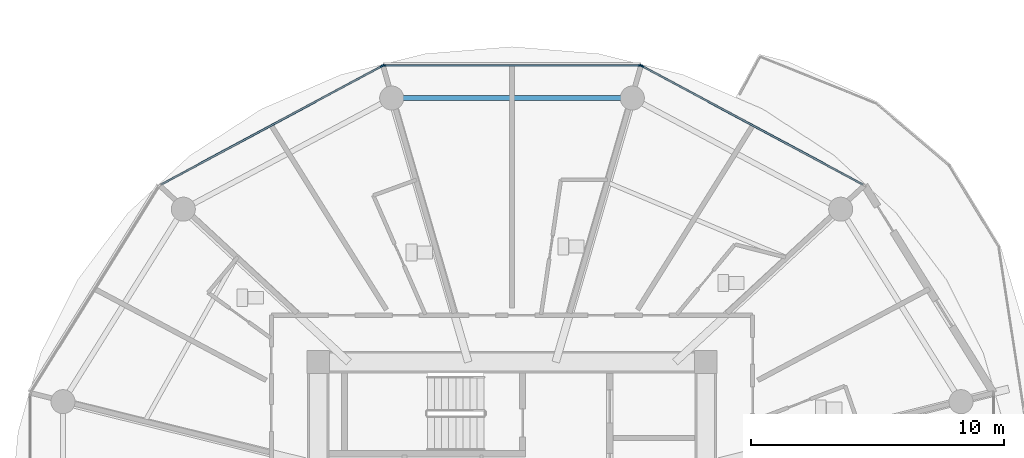
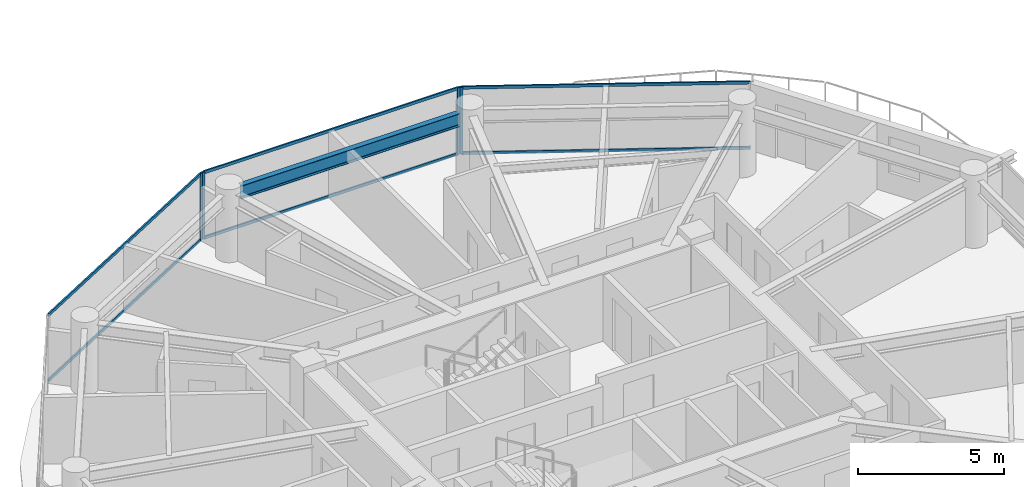
# One storey, part 9 of 26: 10 members, 1 beam, 3 elements without a shape of their own.
"""IFC4 building model written with IfcOpenShell, lengths in metres."""

import ifcopenshell
import ifcopenshell.guid

model = None  # the IFC model being written
_history = None  # IfcOwnerHistory: only IFC2X3 demands one
_inside = {}  # id of a spatial element -> (the spatial element, [elements in it])
_under = {}  # id of a project, library or spatial element -> (it, [spatial elements below it])
_declared = {}  # id of a project -> (the project, [libraries it declares])
_typed = {}  # id of a type object -> (the type object, [elements of that type])
_made_of = {}  # id of a material, layer set ... -> (it, [elements and type objects made of it])


def new_model(schema):
    """Start an empty IFC model of exactly this schema.

    Asked for "IFC4X3", IfcOpenShell would pick the latest addendum, in which some entities
    have other attributes; the version numbers below select the first issue.
    IFC2X3 requires an IfcOwnerHistory on every rooted entity: one is made here for all.
    """
    global model, _history
    if schema == "IFC4X3":
        model = ifcopenshell.file(schema_version=(4, 3, 0, 0))
    else:
        model = ifcopenshell.file(schema=schema)
    _inside.clear()
    _under.clear()
    _declared.clear()
    _typed.clear()
    _made_of.clear()
    _history = None
    if model.schema == "IFC2X3":
        org = make("IfcOrganization", Name="unknown")
        user = make(
            "IfcPersonAndOrganization",
            ThePerson=make("IfcPerson", FamilyName="unknown"),
            TheOrganization=org,
        )
        app = make(
            "IfcApplication",
            ApplicationDeveloper=org,
            Version="unknown",
            ApplicationFullName="unknown",
            ApplicationIdentifier="unknown",
        )
        _history = make(
            "IfcOwnerHistory",
            OwningUser=user,
            OwningApplication=app,
            ChangeAction="ADDED",
            CreationDate=0,
        )
    return model


def make(cls, **values):
    """One entity of the class cls with the attributes given. An attribute that is None is left unset."""
    return model.create_entity(
        cls, **{name: value for name, value in values.items() if value is not None}
    )


def rooted(cls, **values):
    """An entity with a GlobalId (a new one), such as an element, a storey or a relation."""
    return make(cls, GlobalId=ifcopenshell.guid.new(), OwnerHistory=_history, **values)


def si_unit(unit_type, name, prefix=None):
    """IfcSIUnit, for example si_unit("LENGTHUNIT", "METRE", prefix="MILLI")."""
    return make("IfcSIUnit", UnitType=unit_type, Prefix=prefix, Name=name)


def assignment(units):
    """IfcUnitAssignment: the units of a project."""
    return None if units is None else make("IfcUnitAssignment", Units=units)


def point(xyz):
    """IfcCartesianPoint."""
    return None if xyz is None else make("IfcCartesianPoint", Coordinates=xyz)


def direction(xyz):
    """IfcDirection."""
    return None if xyz is None else make("IfcDirection", DirectionRatios=xyz)


def frame(location, z_axis=None, x_axis=None):
    """IfcAxis2Placement3D, a coordinate frame: its origin and axes. An axis left out is left unset."""
    return make(
        "IfcAxis2Placement3D",
        Location=point(location),
        Axis=direction(z_axis),
        RefDirection=direction(x_axis),
    )


def frame_2d(location, x_axis=None):
    """IfcAxis2Placement2D, a coordinate frame in the plane: its origin and x axis."""
    return make(
        "IfcAxis2Placement2D", Location=point(location), RefDirection=direction(x_axis)
    )


def origin():
    """The frame at (0, 0, 0) with its axes left unset."""
    return frame((0.0, 0.0, 0.0))


def origin_2d():
    """The frame at (0, 0) in the plane with its x axis left unset."""
    return frame_2d((0.0, 0.0))


def place(relative_to, where):
    """IfcLocalPlacement: puts the frame where relative to a parent placement (None: the world)."""
    return make(
        "IfcLocalPlacement", PlacementRelTo=relative_to, RelativePlacement=where
    )


def context(
    kind, dimensions, precision=None, world=None, true_north=None, identifier=None
):
    """IfcGeometricRepresentationContext, for example the 3D "Model" context."""
    return make(
        "IfcGeometricRepresentationContext",
        ContextIdentifier=identifier,
        ContextType=kind,
        CoordinateSpaceDimension=dimensions,
        Precision=precision,
        WorldCoordinateSystem=world,
        TrueNorth=true_north,
    )


def subcontext(parent, identifier, kind, view, scale=None):
    """IfcGeometricRepresentationSubContext, for example "Body" below "Model"."""
    return make(
        "IfcGeometricRepresentationSubContext",
        ContextIdentifier=identifier,
        ContextType=kind,
        ParentContext=parent,
        TargetScale=scale,
        TargetView=view,
    )


def project(units=None, contexts=None):
    """IfcProject with its units and contexts."""
    return rooted(
        "IfcProject",
        Name="project",
        RepresentationContexts=contexts,
        UnitsInContext=assignment(units),
    )


def spatial(cls, under=None, at=None, **own):
    """A site, building, storey or space (cls), placed at a placement, below another one or the project."""
    s = rooted(cls, ObjectPlacement=at, **own)
    if under is not None:
        _under.setdefault(under.id(), (under, []))[1].append(s)
    return s


def profile(cls, at=None, kind="AREA", **sizes):
    """A parametric profile (cls). Its sizes go by their IFC names, for example OverallWidth=200.0."""
    return make(cls, ProfileType=kind, Position=at, **sizes)


def rectangle(**sizes):
    """IfcRectangleProfileDef."""
    return profile("IfcRectangleProfileDef", **sizes)


def i_section(**sizes):
    """IfcIShapeProfileDef."""
    return profile("IfcIShapeProfileDef", **sizes)


def extrude(swept, where, along, depth):
    """IfcExtrudedAreaSolid: the profile swept, set in the frame where, extruded along a direction by depth."""
    return make(
        "IfcExtrudedAreaSolid",
        SweptArea=swept,
        Position=where,
        ExtrudedDirection=direction(along),
        Depth=depth,
    )


def shape(context_of_items, identifier, shape_type, items):
    """IfcShapeRepresentation: the items that make up one representation, for example the "Body"."""
    return make(
        "IfcShapeRepresentation",
        ContextOfItems=context_of_items,
        RepresentationIdentifier=identifier,
        RepresentationType=shape_type,
        Items=items,
    )


def source(mapping_origin, context_of_items, identifier, shape_type, items):
    """IfcRepresentationMap: a shape defined once, which mapped items show again and again."""
    return make(
        "IfcRepresentationMap",
        MappingOrigin=mapping_origin,
        MappedRepresentation=shape(context_of_items, identifier, shape_type, items),
    )


def transform(
    local_origin,
    x_axis=None,
    y_axis=None,
    z_axis=None,
    scale=None,
    scale2=None,
    scale3=None,
    uniform=True,
):
    """IfcCartesianTransformationOperator3D, or its non-uniform kind. x_axis, y_axis, z_axis: its Axis1, 2, 3."""
    if uniform:
        return make(
            "IfcCartesianTransformationOperator3D",
            Axis1=direction(x_axis),
            Axis2=direction(y_axis),
            LocalOrigin=point(local_origin),
            Scale=scale,
            Axis3=direction(z_axis),
        )
    return make(
        "IfcCartesianTransformationOperator3DnonUniform",
        Axis1=direction(x_axis),
        Axis2=direction(y_axis),
        LocalOrigin=point(local_origin),
        Scale=scale,
        Axis3=direction(z_axis),
        Scale2=scale2,
        Scale3=scale3,
    )


def mapped(mapping_source, mapping_target):
    """IfcMappedItem: shows the shape of a source again, moved by a transform."""
    return make(
        "IfcMappedItem", MappingSource=mapping_source, MappingTarget=mapping_target
    )


def material(Name=None, Category=None):
    """IfcMaterial."""
    return make("IfcMaterial", Name=Name, Category=Category)


def layer(
    of_material, thickness, ventilated=None, Name=None, Category=None, Priority=None
):
    """IfcMaterialLayer: one layer of a wall or slab, of a material (None: an air gap)."""
    return make(
        "IfcMaterialLayer",
        Material=of_material,
        LayerThickness=thickness,
        IsVentilated=ventilated,
        Name=Name,
        Category=Category,
        Priority=Priority,
    )


def layer_set(layers, Name=None):
    """IfcMaterialLayerSet."""
    return make("IfcMaterialLayerSet", MaterialLayers=layers, LayerSetName=Name)


def material_profile(
    of_material, cross_section, Name=None, Category=None, Priority=None
):
    """IfcMaterialProfile: a cross section and its material."""
    return make(
        "IfcMaterialProfile",
        Name=Name,
        Material=of_material,
        Profile=cross_section,
        Priority=Priority,
        Category=Category,
    )


def profile_set(profiles, Name=None, composite=None):
    """IfcMaterialProfileSet."""
    return make(
        "IfcMaterialProfileSet",
        Name=Name,
        MaterialProfiles=profiles,
        CompositeProfile=composite,
    )


def made_of(thing, what):
    """Note that an element or type object is made of a material, layer set ...; save() writes the relation."""
    if what is not None:
        _made_of.setdefault(what.id(), (what, []))[1].append(thing)
    return thing


def type_object(cls, material=None, **own):
    """A type object (cls), such as IfcWallType, which elements share."""
    return made_of(rooted(cls, **own), material)


def type_shapes(of_type, sources):
    """Give a type object the sources (RepresentationMaps) that its elements show as mapped items."""
    of_type.RepresentationMaps = sources


def element(
    cls,
    number,
    at=None,
    inside=None,
    cuts=None,
    type_object=None,
    material=None,
    context=None,
    identifier="Body",
    shape_type=None,
    held_by="IfcProductDefinitionShape",
    body=None,
    shapes=None,
    **own,
):
    """One element of the class cls, such as IfcWall. Its Tag is "e" and its number.

    at: its placement. inside: the storey or other place that contains it. cuts: it is an
    opening in that element (IfcRelVoidsElement). A single representation is given by context,
    identifier, shape_type and body (its items); several are given by shapes. held_by: the class
    of the entity that holds the representations. save() writes the other relations.
    """
    e = rooted(cls, Tag="e%d" % number, ObjectPlacement=at, **own)
    if body is not None:
        shapes = [shape(context, identifier, shape_type, body)]
    if shapes is not None:
        e.Representation = make(held_by, Representations=shapes)
    if inside is not None:
        _inside.setdefault(inside.id(), (inside, []))[1].append(e)
    if cuts is not None:
        rooted(
            "IfcRelVoidsElement", RelatingBuildingElement=cuts, RelatedOpeningElement=e
        )
    if type_object is not None:
        _typed.setdefault(type_object.id(), (type_object, []))[1].append(e)
    return made_of(e, material)


def aggregate(whole, parts):
    """IfcRelAggregates: a whole, such as a stair, and the parts it consists of."""
    return rooted("IfcRelAggregates", RelatingObject=whole, RelatedObjects=parts)


def save(model, path):
    """Write the relations noted so far, then the file.

    IfcRelAggregates (storeys below a building ...), IfcRelContainedInSpatialStructure (elements
    in a storey), IfcRelDefinesByType, IfcRelAssociatesMaterial and IfcRelDeclares: one each for
    every whole, place, type object, material and project.
    """
    for whole, parts in _under.values():
        aggregate(whole, parts)
    for where, things in _inside.values():
        rooted(
            "IfcRelContainedInSpatialStructure",
            RelatedElements=things,
            RelatingStructure=where,
        )
    for kind, things in _typed.values():
        rooted("IfcRelDefinesByType", RelatedObjects=things, RelatingType=kind)
    for what, things in _made_of.values():
        rooted("IfcRelAssociatesMaterial", RelatedObjects=things, RelatingMaterial=what)
    for by, libraries in _declared.values():
        rooted("IfcRelDeclares", RelatingContext=by, RelatedDefinitions=libraries)
    model.write(path)


model = new_model("IFC4")

# Units and contexts
model_context = context("Model", 3, precision=1e-05, world=origin(), true_north=direction((0.0, 1.0)))
body_context = subcontext(model_context, "Body", "Model", "MODEL_VIEW")
ifc_project = project(units=[si_unit("LENGTHUNIT", "METRE"), si_unit("AREAUNIT", "SQUARE_METRE"), si_unit("VOLUMEUNIT", "CUBIC_METRE"), si_unit("PLANEANGLEUNIT", "RADIAN"), si_unit("MASSUNIT", "GRAM", prefix="KILO")], contexts=[model_context])

# Site, building, storey
site_placement = place(None, origin())
site = spatial("IfcSite", under=ifc_project, at=site_placement, CompositionType="ELEMENT")
building_placement = place(site_placement, origin())
building = spatial("IfcBuilding", under=site, at=building_placement, Name="Norrkilde Senior Care Towers", CompositionType="ELEMENT")
storey_placement = place(building_placement, frame((0.0, 0.0, 67.35009765625)))
storey = spatial("IfcBuildingStorey", under=building, at=storey_placement, Name="L20", CompositionType="ELEMENT", Elevation=67.35009765625)

# Beam
ifc_material_1 = material(Name="Steel S355", Category="steel")
ifc_material_profile_1 = material_profile(ifc_material_1, i_section(OverallWidth=0.2099609375, OverallDepth=0.550048828125, WebThickness=0.010986328125, FlangeThickness=0.01708984375, FilletRadius=0.02392578125, at=origin_2d()), Name="IPE 550")
ifc_profile_set_1 = profile_set([ifc_material_profile_1], Name="Steel S355")
beam_type = type_object("IfcBeamType", Name="Perimeter Ring Spandrel Z1 IPE550", PredefinedType="SPANDREL", material=ifc_profile_set_1)
shared_shape_1 = source(origin(), body_context, "Body", "SweptSolid", [
    extrude(i_section(OverallWidth=0.2099609375, OverallDepth=0.550048828125, WebThickness=0.010986328125, FlangeThickness=0.01708984375, FilletRadius=0.02392578125, at=origin_2d()), origin(), (0.0, 0.0, 1.0), 8.62841796875),
])
type_shapes(beam_type, [shared_shape_1])
beam_placement = place(storey_placement, frame((-23.685791015625, 16.37255859375, 2.514892578125), z_axis=(-1.0, 0.0, 0.0), x_axis=(0.0, -1.0, 0.0)))
element("IfcBeam", 1, at=beam_placement, inside=storey, type_object=beam_type, Name="L20 Drum W Perimeter Spandrel 03", PredefinedType="SPANDREL", context=body_context, shape_type="MappedRepresentation", body=[
    mapped(shared_shape_1, transform((0.0, 0.0, 0.0), x_axis=(1.0, 0.0, 0.0), y_axis=(0.0, 1.0, 0.0), z_axis=(0.0, 0.0, 1.0), scale=1.0)),
])

# Curtain wall, member
ifc_material_2 = material(Name="Triple Low-E Insulated Glazing", Category="glass")
ifc_layer = layer(ifc_material_2, 0.199951171875)
ifc_layer_set = layer_set([ifc_layer], Name="Triple Low-E Insulated Glazing")
curtain_wall_type = type_object("IfcCurtainWallType", Name="CW2 Zone 1 Memory Care Curtain Wall", PredefinedType="NOTDEFINED", material=ifc_layer_set)
curtain_wall_1_placement = place(storey_placement, origin())
curtain_wall_1 = element("IfcCurtainWall", 2, at=curtain_wall_1_placement, inside=storey, type_object=curtain_wall_type, Name="L20 Drum W Curtain Wall 01", PredefinedType="NOTDEFINED")
ifc_material_3 = material(Name="Anodised Aluminium", Category="aluminium")
ifc_material_profile_2 = material_profile(ifc_material_3, rectangle(XDim=0.06494140625, YDim=0.159912109375, at=origin_2d()), Name="ALU MULL 65x160")
ifc_profile_set_2 = profile_set([ifc_material_profile_2], Name="Anodised Aluminium")
member_type_1 = type_object("IfcMemberType", Name="Curtain Wall Mullion Z1-Z2 65x160", PredefinedType="MULLION", material=ifc_profile_set_2)
shared_shape_2 = source(origin(), body_context, "Body", "SweptSolid", [
    extrude(rectangle(XDim=0.06494140625, YDim=0.159912109375, at=origin_2d()), origin(), (0.0, 0.0, 1.0), 2.789794921875),
])
type_shapes(member_type_1, [shared_shape_2])
member_1_placement = place(storey_placement, frame((-22.877685546875, 17.641845703125, 0.0), z_axis=(0.0, 0.0, 1.0), x_axis=(0.472607802456, 0.881272866403, 0.0)))
member_1 = element("IfcMember", 3, at=member_1_placement, type_object=member_type_1, Name="CW-2 mullion 1", PredefinedType="MULLION", context=body_context, shape_type="MappedRepresentation", body=[
    mapped(shared_shape_2, transform((0.0, 0.0, 0.0), x_axis=(1.0, 0.0, 0.0), y_axis=(0.0, 1.0, 0.0), z_axis=(0.0, 0.0, 1.0), scale=1.0)),
])

# Curtain wall, members
curtain_wall_2_placement = place(storey_placement, origin())
curtain_wall_2 = element("IfcCurtainWall", 4, at=curtain_wall_2_placement, inside=storey, type_object=curtain_wall_type, Name="L20 Drum W Curtain Wall 02", PredefinedType="NOTDEFINED")
member_2_placement = place(storey_placement, frame((-33.06103515625, 17.6572265625, 0.0), z_axis=(0.0, 0.0, 1.0), x_axis=(0.0, 1.0, 0.0)))
member_2 = element("IfcMember", 5, at=member_2_placement, type_object=member_type_1, Name="CW-2 mullion 1", PredefinedType="MULLION", context=body_context, shape_type="MappedRepresentation", body=[
    mapped(shared_shape_2, transform((0.0, 0.0, 0.0), x_axis=(1.0, 0.0, 0.0), y_axis=(0.0, 1.0, 0.0), z_axis=(0.0, 0.0, 1.0), scale=1.0)),
])
member_3_placement = place(storey_placement, frame((-22.93896484375, 17.6572265625, 0.0), z_axis=(0.0, 0.0, 1.0), x_axis=(0.0, 1.0, 0.0)))
member_3 = element("IfcMember", 6, at=member_3_placement, type_object=member_type_1, Name="CW-2 mullion 2", PredefinedType="MULLION", context=body_context, shape_type="MappedRepresentation", body=[
    mapped(shared_shape_2, transform((0.0, 0.0, 0.0), x_axis=(1.0, 0.0, 0.0), y_axis=(0.0, 1.0, 0.0), z_axis=(0.0, 0.0, 1.0), scale=1.0)),
])

# Curtain wall, member
curtain_wall_3_placement = place(storey_placement, origin())
curtain_wall_3 = element("IfcCurtainWall", 7, at=curtain_wall_3_placement, inside=storey, type_object=curtain_wall_type, Name="L20 Drum W Curtain Wall 03", PredefinedType="NOTDEFINED")
member_4_placement = place(storey_placement, frame((-33.122314453125, 17.641845703125, 0.0), z_axis=(0.0, 0.0, 1.0), x_axis=(-0.472607802456, 0.881272866403, 0.0)))
member_4 = element("IfcMember", 8, at=member_4_placement, type_object=member_type_1, Name="CW-2 mullion 2", PredefinedType="MULLION", context=body_context, shape_type="MappedRepresentation", body=[
    mapped(shared_shape_2, transform((0.0, 0.0, 0.0), x_axis=(1.0, 0.0, 0.0), y_axis=(0.0, 1.0, 0.0), z_axis=(0.0, 0.0, 1.0), scale=1.0)),
])

# Member
ifc_material_profile_3 = material_profile(ifc_material_3, rectangle(XDim=0.06005859375, YDim=0.1201171875, at=origin_2d()), Name="ALU TRAN 60x120")
ifc_profile_set_3 = profile_set([ifc_material_profile_3], Name="Anodised Aluminium")
member_type_2 = type_object("IfcMemberType", Name="Curtain Wall Transom Typical 60x120", PredefinedType="USERDEFINED", material=ifc_profile_set_3)
shared_shape_3 = source(origin(), body_context, "Body", "SweptSolid", [
    extrude(rectangle(XDim=0.06005859375, YDim=0.1201171875, at=origin_2d()), origin(), (0.0, 0.0, 1.0), 9.880859375),
])
member_5_placement = place(storey_placement, frame((-22.84912109375, 17.62646484375, 0.02978515625), z_axis=(0.881267204043, -0.47261836092, 0.0), x_axis=(0.47261836092, 0.881267204043, 0.0)))
member_5 = element("IfcMember", 9, at=member_5_placement, type_object=member_type_2, Name="CW-2 transom 1.1", ObjectType="TRANSOM", PredefinedType="USERDEFINED", context=body_context, shape_type="MappedRepresentation", body=[
    mapped(shared_shape_3, transform((0.0, 0.0, 0.0), x_axis=(1.0, 0.0, 0.0), y_axis=(0.0, 1.0, 0.0), z_axis=(0.0, 0.0, 1.0), scale=1.0)),
])

member_6_placement = place(storey_placement, frame((-22.84912109375, 17.62646484375, 2.760009765625), z_axis=(0.881267204043, -0.47261836092, 0.0), x_axis=(0.47261836092, 0.881267204043, 0.0)))
member_6 = element("IfcMember", 10, at=member_6_placement, type_object=member_type_2, Name="CW-2 transom 1.2", ObjectType="TRANSOM", PredefinedType="USERDEFINED", context=body_context, shape_type="MappedRepresentation", body=[
    mapped(shared_shape_3, transform((0.0, 0.0, 0.0), x_axis=(1.0, 0.0, 0.0), y_axis=(0.0, 1.0, 0.0), z_axis=(0.0, 0.0, 1.0), scale=1.0)),
])

aggregate(curtain_wall_1, [member_1, member_5, member_6])

member_7_placement = place(storey_placement, frame((-41.858642578125, 12.95654296875, 0.02978515625), z_axis=(0.881267204043, 0.47261836092, 0.0), x_axis=(-0.47261836092, 0.881267204043, 0.0)))
member_7 = element("IfcMember", 11, at=member_7_placement, type_object=member_type_2, Name="CW-2 transom 1.1", ObjectType="TRANSOM", PredefinedType="USERDEFINED", context=body_context, shape_type="MappedRepresentation", body=[
    mapped(shared_shape_3, transform((0.0, 0.0, 0.0), x_axis=(1.0, 0.0, 0.0), y_axis=(0.0, 1.0, 0.0), z_axis=(0.0, 0.0, 1.0), scale=1.0)),
])

member_8_placement = place(storey_placement, frame((-41.858642578125, 12.95654296875, 2.760009765625), z_axis=(0.881267204043, 0.47261836092, 0.0), x_axis=(-0.47261836092, 0.881267204043, 0.0)))
member_8 = element("IfcMember", 12, at=member_8_placement, type_object=member_type_2, Name="CW-2 transom 1.2", ObjectType="TRANSOM", PredefinedType="USERDEFINED", context=body_context, shape_type="MappedRepresentation", body=[
    mapped(shared_shape_3, transform((0.0, 0.0, 0.0), x_axis=(1.0, 0.0, 0.0), y_axis=(0.0, 1.0, 0.0), z_axis=(0.0, 0.0, 1.0), scale=1.0)),
])

aggregate(curtain_wall_3, [member_4, member_7, member_8])

shared_shape_4 = source(origin(), body_context, "Body", "SweptSolid", [
    extrude(rectangle(XDim=0.06005859375, YDim=0.1201171875, at=origin_2d()), origin(), (0.0, 0.0, 1.0), 10.05712890625),
])
type_shapes(member_type_2, [shared_shape_3, shared_shape_4])
member_9_placement = place(storey_placement, frame((-33.028564453125, 17.6572265625, 0.02978515625), z_axis=(1.0, 0.0, 0.0), x_axis=(0.0, 1.0, 0.0)))
member_9 = element("IfcMember", 13, at=member_9_placement, type_object=member_type_2, Name="CW-2 transom 1.1", ObjectType="TRANSOM", PredefinedType="USERDEFINED", context=body_context, shape_type="MappedRepresentation", body=[
    mapped(shared_shape_4, transform((0.0, 0.0, 0.0), x_axis=(1.0, 0.0, 0.0), y_axis=(0.0, 1.0, 0.0), z_axis=(0.0, 0.0, 1.0), scale=1.0)),
])

member_10_placement = place(storey_placement, frame((-33.028564453125, 17.6572265625, 2.760009765625), z_axis=(1.0, 0.0, 0.0), x_axis=(0.0, 1.0, 0.0)))
member_10 = element("IfcMember", 14, at=member_10_placement, type_object=member_type_2, Name="CW-2 transom 1.2", ObjectType="TRANSOM", PredefinedType="USERDEFINED", context=body_context, shape_type="MappedRepresentation", body=[
    mapped(shared_shape_4, transform((0.0, 0.0, 0.0), x_axis=(1.0, 0.0, 0.0), y_axis=(0.0, 1.0, 0.0), z_axis=(0.0, 0.0, 1.0), scale=1.0)),
])

aggregate(curtain_wall_2, [member_2, member_3, member_9, member_10])

save(model, "model.ifc")
